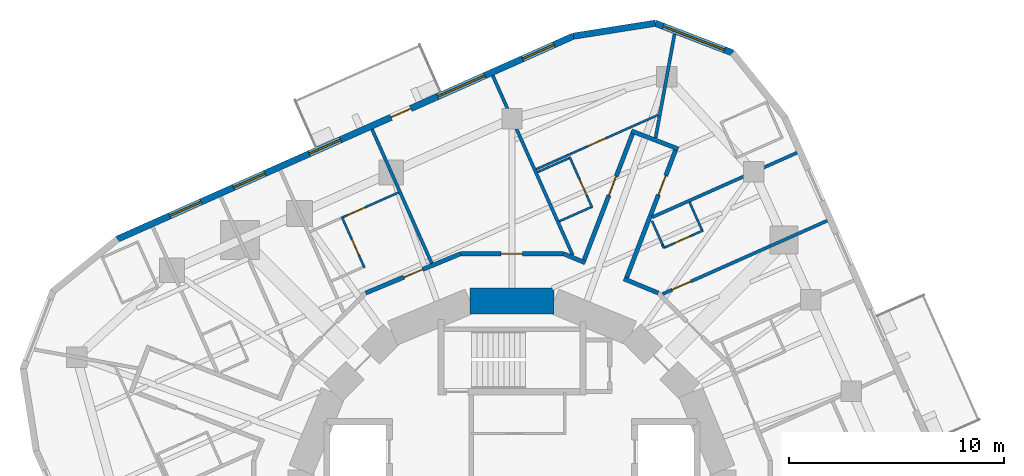
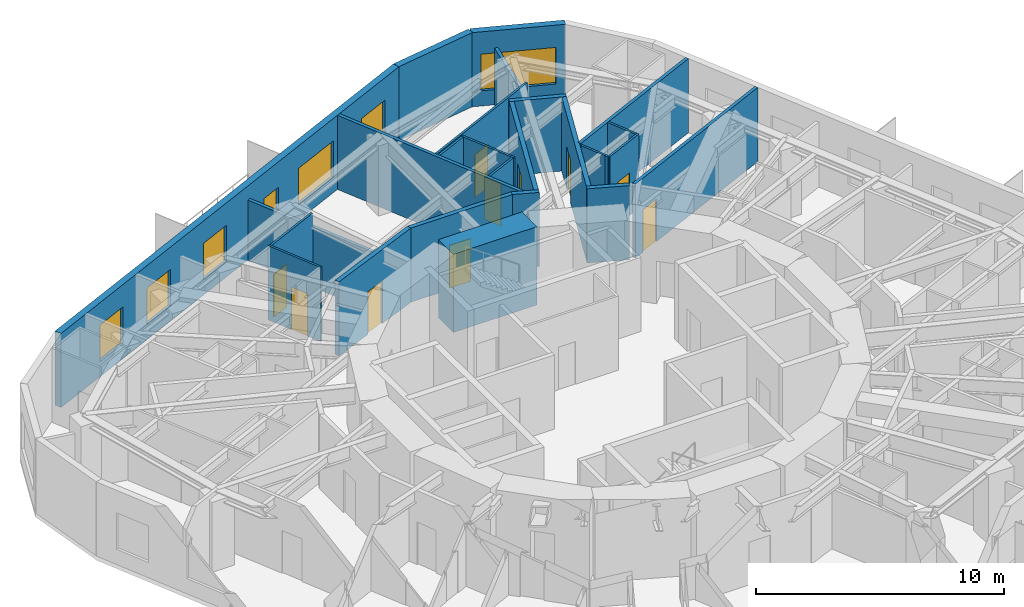
# One storey, part 9 of 12: 26 walls, 11 doors, 6 windows, 17 openings.
"""IFC4 building model written with IfcOpenShell, lengths in metres."""

import ifcopenshell
import ifcopenshell.guid

model = None  # the IFC model being written
_history = None  # IfcOwnerHistory: only IFC2X3 demands one
_inside = {}  # id of a spatial element -> (the spatial element, [elements in it])
_under = {}  # id of a project, library or spatial element -> (it, [spatial elements below it])
_declared = {}  # id of a project -> (the project, [libraries it declares])
_typed = {}  # id of a type object -> (the type object, [elements of that type])
_made_of = {}  # id of a material, layer set ... -> (it, [elements and type objects made of it])


def new_model(schema):
    """Start an empty IFC model of exactly this schema.

    Asked for "IFC4X3", IfcOpenShell would pick the latest addendum, in which some entities
    have other attributes; the version numbers below select the first issue.
    IFC2X3 requires an IfcOwnerHistory on every rooted entity: one is made here for all.
    """
    global model, _history
    if schema == "IFC4X3":
        model = ifcopenshell.file(schema_version=(4, 3, 0, 0))
    else:
        model = ifcopenshell.file(schema=schema)
    _inside.clear()
    _under.clear()
    _declared.clear()
    _typed.clear()
    _made_of.clear()
    _history = None
    if model.schema == "IFC2X3":
        org = make("IfcOrganization", Name="unknown")
        user = make(
            "IfcPersonAndOrganization",
            ThePerson=make("IfcPerson", FamilyName="unknown"),
            TheOrganization=org,
        )
        app = make(
            "IfcApplication",
            ApplicationDeveloper=org,
            Version="unknown",
            ApplicationFullName="unknown",
            ApplicationIdentifier="unknown",
        )
        _history = make(
            "IfcOwnerHistory",
            OwningUser=user,
            OwningApplication=app,
            ChangeAction="ADDED",
            CreationDate=0,
        )
    return model


def make(cls, **values):
    """One entity of the class cls with the attributes given. An attribute that is None is left unset."""
    return model.create_entity(
        cls, **{name: value for name, value in values.items() if value is not None}
    )


def rooted(cls, **values):
    """An entity with a GlobalId (a new one), such as an element, a storey or a relation."""
    return make(cls, GlobalId=ifcopenshell.guid.new(), OwnerHistory=_history, **values)


def si_unit(unit_type, name, prefix=None):
    """IfcSIUnit, for example si_unit("LENGTHUNIT", "METRE", prefix="MILLI")."""
    return make("IfcSIUnit", UnitType=unit_type, Prefix=prefix, Name=name)


def assignment(units):
    """IfcUnitAssignment: the units of a project."""
    return None if units is None else make("IfcUnitAssignment", Units=units)


def point(xyz):
    """IfcCartesianPoint."""
    return None if xyz is None else make("IfcCartesianPoint", Coordinates=xyz)


def direction(xyz):
    """IfcDirection."""
    return None if xyz is None else make("IfcDirection", DirectionRatios=xyz)


def frame(location, z_axis=None, x_axis=None):
    """IfcAxis2Placement3D, a coordinate frame: its origin and axes. An axis left out is left unset."""
    return make(
        "IfcAxis2Placement3D",
        Location=point(location),
        Axis=direction(z_axis),
        RefDirection=direction(x_axis),
    )


def frame_2d(location, x_axis=None):
    """IfcAxis2Placement2D, a coordinate frame in the plane: its origin and x axis."""
    return make(
        "IfcAxis2Placement2D", Location=point(location), RefDirection=direction(x_axis)
    )


def origin():
    """The frame at (0, 0, 0) with its axes left unset."""
    return frame((0.0, 0.0, 0.0))


def place(relative_to, where):
    """IfcLocalPlacement: puts the frame where relative to a parent placement (None: the world)."""
    return make(
        "IfcLocalPlacement", PlacementRelTo=relative_to, RelativePlacement=where
    )


def context(
    kind, dimensions, precision=None, world=None, true_north=None, identifier=None
):
    """IfcGeometricRepresentationContext, for example the 3D "Model" context."""
    return make(
        "IfcGeometricRepresentationContext",
        ContextIdentifier=identifier,
        ContextType=kind,
        CoordinateSpaceDimension=dimensions,
        Precision=precision,
        WorldCoordinateSystem=world,
        TrueNorth=true_north,
    )


def subcontext(parent, identifier, kind, view, scale=None):
    """IfcGeometricRepresentationSubContext, for example "Body" below "Model"."""
    return make(
        "IfcGeometricRepresentationSubContext",
        ContextIdentifier=identifier,
        ContextType=kind,
        ParentContext=parent,
        TargetScale=scale,
        TargetView=view,
    )


def project(units=None, contexts=None):
    """IfcProject with its units and contexts."""
    return rooted(
        "IfcProject",
        Name="project",
        RepresentationContexts=contexts,
        UnitsInContext=assignment(units),
    )


def spatial(cls, under=None, at=None, **own):
    """A site, building, storey or space (cls), placed at a placement, below another one or the project."""
    s = rooted(cls, ObjectPlacement=at, **own)
    if under is not None:
        _under.setdefault(under.id(), (under, []))[1].append(s)
    return s


def profile(cls, at=None, kind="AREA", **sizes):
    """A parametric profile (cls). Its sizes go by their IFC names, for example OverallWidth=200.0."""
    return make(cls, ProfileType=kind, Position=at, **sizes)


def rectangle(**sizes):
    """IfcRectangleProfileDef."""
    return profile("IfcRectangleProfileDef", **sizes)


def extrude(swept, where, along, depth):
    """IfcExtrudedAreaSolid: the profile swept, set in the frame where, extruded along a direction by depth."""
    return make(
        "IfcExtrudedAreaSolid",
        SweptArea=swept,
        Position=where,
        ExtrudedDirection=direction(along),
        Depth=depth,
    )


def shape(context_of_items, identifier, shape_type, items):
    """IfcShapeRepresentation: the items that make up one representation, for example the "Body"."""
    return make(
        "IfcShapeRepresentation",
        ContextOfItems=context_of_items,
        RepresentationIdentifier=identifier,
        RepresentationType=shape_type,
        Items=items,
    )


def material(Name=None, Category=None):
    """IfcMaterial."""
    return make("IfcMaterial", Name=Name, Category=Category)


def layer(
    of_material, thickness, ventilated=None, Name=None, Category=None, Priority=None
):
    """IfcMaterialLayer: one layer of a wall or slab, of a material (None: an air gap)."""
    return make(
        "IfcMaterialLayer",
        Material=of_material,
        LayerThickness=thickness,
        IsVentilated=ventilated,
        Name=Name,
        Category=Category,
        Priority=Priority,
    )


def layer_set(layers, Name=None):
    """IfcMaterialLayerSet."""
    return make("IfcMaterialLayerSet", MaterialLayers=layers, LayerSetName=Name)


def made_of(thing, what):
    """Note that an element or type object is made of a material, layer set ...; save() writes the relation."""
    if what is not None:
        _made_of.setdefault(what.id(), (what, []))[1].append(thing)
    return thing


def type_object(cls, material=None, **own):
    """A type object (cls), such as IfcWallType, which elements share."""
    return made_of(rooted(cls, **own), material)


def element(
    cls,
    number,
    at=None,
    inside=None,
    cuts=None,
    type_object=None,
    material=None,
    context=None,
    identifier="Body",
    shape_type=None,
    held_by="IfcProductDefinitionShape",
    body=None,
    shapes=None,
    **own,
):
    """One element of the class cls, such as IfcWall. Its Tag is "e" and its number.

    at: its placement. inside: the storey or other place that contains it. cuts: it is an
    opening in that element (IfcRelVoidsElement). A single representation is given by context,
    identifier, shape_type and body (its items); several are given by shapes. held_by: the class
    of the entity that holds the representations. save() writes the other relations.
    """
    e = rooted(cls, Tag="e%d" % number, ObjectPlacement=at, **own)
    if body is not None:
        shapes = [shape(context, identifier, shape_type, body)]
    if shapes is not None:
        e.Representation = make(held_by, Representations=shapes)
    if inside is not None:
        _inside.setdefault(inside.id(), (inside, []))[1].append(e)
    if cuts is not None:
        rooted(
            "IfcRelVoidsElement", RelatingBuildingElement=cuts, RelatedOpeningElement=e
        )
    if type_object is not None:
        _typed.setdefault(type_object.id(), (type_object, []))[1].append(e)
    return made_of(e, material)


def fill(opening, filler):
    """IfcRelFillsElement: the door or window that sits in an opening."""
    return rooted(
        "IfcRelFillsElement",
        RelatingOpeningElement=opening,
        RelatedBuildingElement=filler,
    )


def aggregate(whole, parts):
    """IfcRelAggregates: a whole, such as a stair, and the parts it consists of."""
    return rooted("IfcRelAggregates", RelatingObject=whole, RelatedObjects=parts)


def save(model, path):
    """Write the relations noted so far, then the file.

    IfcRelAggregates (storeys below a building ...), IfcRelContainedInSpatialStructure (elements
    in a storey), IfcRelDefinesByType, IfcRelAssociatesMaterial and IfcRelDeclares: one each for
    every whole, place, type object, material and project.
    """
    for whole, parts in _under.values():
        aggregate(whole, parts)
    for where, things in _inside.values():
        rooted(
            "IfcRelContainedInSpatialStructure",
            RelatedElements=things,
            RelatingStructure=where,
        )
    for kind, things in _typed.values():
        rooted("IfcRelDefinesByType", RelatedObjects=things, RelatingType=kind)
    for what, things in _made_of.values():
        rooted("IfcRelAssociatesMaterial", RelatedObjects=things, RelatingMaterial=what)
    for by, libraries in _declared.values():
        rooted("IfcRelDeclares", RelatingContext=by, RelatedDefinitions=libraries)
    model.write(path)


model = new_model("IFC4")

# Units and contexts
model_context = context("Model", 3, precision=1e-05, world=origin(), true_north=direction((0.0, 1.0)))
body_context = subcontext(model_context, "Body", "Model", "MODEL_VIEW")
ifc_project = project(units=[si_unit("LENGTHUNIT", "METRE"), si_unit("AREAUNIT", "SQUARE_METRE"), si_unit("VOLUMEUNIT", "CUBIC_METRE"), si_unit("PLANEANGLEUNIT", "RADIAN"), si_unit("MASSUNIT", "GRAM", prefix="KILO")], contexts=[model_context])

# Site, building, storey
site_placement = place(None, origin())
site = spatial("IfcSite", under=ifc_project, at=site_placement, CompositionType="ELEMENT")
building_placement = place(site_placement, origin())
building = spatial("IfcBuilding", under=site, at=building_placement, Name="Nakasero Lantern House", CompositionType="ELEMENT")
storey_placement = place(building_placement, frame((0.0, 0.0, 213.25)))
storey = spatial("IfcBuildingStorey", under=building, at=storey_placement, Name="L52", CompositionType="ELEMENT", Elevation=213.25)

# Wall
ifc_material_1 = material(Name="Concrete C50/60", Category="concrete")
ifc_layer_1 = layer(ifc_material_1, 1.199951171875)
ifc_layer_set_1 = layer_set([ifc_layer_1], Name="Core wall 1200")
wall_type_1 = type_object("IfcWallType", Name="Core wall 1200", PredefinedType="SHEAR", material=ifc_layer_set_1)
wall_1_placement = place(storey_placement, frame((1.950927734375, 9.807861328125, 0.0), z_axis=(0.0, 0.0, 1.0), x_axis=(-1.0, 0.0, 0.0)))
element("IfcWall", 1, at=wall_1_placement, inside=storey, type_object=wall_type_1, Name="Core wall L52 facet 4", PredefinedType="SHEAR", context=body_context, shape_type="SweptSolid", body=[
    extrude(rectangle(XDim=3.90185546875, YDim=1.199951171875, at=frame_2d((1.950927734375, 0.0))), origin(), (0.0, 0.0, 1.0), 3.85009765625),
])

# Wall, opening, door
ifc_material_2 = material(Name="Blockwork", Category="masonry")
ifc_layer_2 = layer(ifc_material_2, 0.199951171875)
ifc_layer_set_2 = layer_set([ifc_layer_2], Name="Corridor wall 200")
wall_type_2 = type_object("IfcWallType", Name="Corridor wall 200", PredefinedType="PARTITIONING", material=ifc_layer_set_2)
wall_2_placement = place(storey_placement, frame((-6.802001953125, 10.1796875, 0.0), z_axis=(0.0, 0.0, 1.0), x_axis=(0.923882292998, 0.382676767893, 0.0)))
wall_2 = element("IfcWall", 2, at=wall_2_placement, inside=storey, type_object=wall_type_2, Name="Corridor wall L52 RC11a", PredefinedType="PARTITIONING", context=body_context, shape_type="SweptSolid", body=[
    extrude(rectangle(XDim=4.777099609375, YDim=0.199951171875, at=frame_2d((2.388671875, 0.0))), origin(), (0.0, 0.0, 1.0), 3.64990234375),
])
opening_1_placement = place(wall_2_placement, frame((1.919921875, 0.0, 0.0)))
opening_1 = element("IfcOpeningElement", 3, at=opening_1_placement, cuts=wall_2, Name="Opening D01", PredefinedType="OPENING", context=body_context, shape_type="SweptSolid", body=[
    extrude(rectangle(XDim=0.949951171875, YDim=2.10009765625, at=frame_2d((0.47509765625, 1.050048828125))), frame((0.0, 0.119873046875, 0.0), z_axis=(0.0, -1.0, 0.0), x_axis=(1.0, 0.0, 0.0)), (0.0, 0.0, 1.0), 0.239990234375),
])
ifc_material_3 = material(Name="Timber C24", Category="wood")
door_type_1 = type_object("IfcDoorType", Name="Bedroom door FD30S 950", OperationType="SINGLE_SWING_LEFT", PredefinedType="DOOR", material=ifc_material_3)
door_1_placement = place(opening_1_placement, origin())
door_1 = element("IfcDoor", 4, at=door_1_placement, inside=storey, type_object=door_type_1, Name="Door L52 D1-03", OperationType="SINGLE_SWING_RIGHT", OverallHeight=2.10009765625, OverallWidth=0.949951171875, PredefinedType="DOOR", context=body_context, shape_type="SweptSolid", body=[
    extrude(rectangle(XDim=0.949951171875, YDim=2.10009765625, at=frame_2d((0.47509765625, 1.050048828125))), frame((0.0, 0.02490234375, 0.0), z_axis=(0.0, -1.0, 0.0), x_axis=(1.0, 0.0, 0.0)), (0.0, 0.0, 1.0), 0.050048828125),
])
fill(opening_1, door_1)

wall_3_placement = place(storey_placement, frame((-2.388427734375, 12.0078125, 0.0), z_axis=(0.0, 0.0, 1.0), x_axis=(1.0, 0.0, 0.0)))
wall_3 = element("IfcWall", 5, at=wall_3_placement, inside=storey, type_object=wall_type_2, Name="Corridor wall L52 RC12a", PredefinedType="PARTITIONING", context=body_context, shape_type="SweptSolid", body=[
    extrude(rectangle(XDim=4.77685546875, YDim=0.199951171875, at=frame_2d((2.388427734375, 0.0))), origin(), (0.0, 0.0, 1.0), 3.64990234375),
])
opening_2_placement = place(wall_3_placement, frame((1.8701171875, 0.0, 0.0)))
opening_2 = element("IfcOpeningElement", 6, at=opening_2_placement, cuts=wall_3, Name="Opening D03", PredefinedType="OPENING", context=body_context, shape_type="SweptSolid", body=[
    extrude(rectangle(XDim=1.0, YDim=2.10009765625, at=frame_2d((0.5, 1.050048828125))), frame((0.0, 0.119873046875, 0.0), z_axis=(0.0, -1.0, 0.0), x_axis=(1.0, 0.0, 0.0)), (0.0, 0.0, 1.0), 0.239990234375),
])
ifc_material_4 = material(Name="Timber C24", Category="wood")
door_type_2 = type_object("IfcDoorType", Name="Lounge door FD30S 1000", OperationType="SINGLE_SWING_LEFT", PredefinedType="DOOR", material=ifc_material_4)
door_2_placement = place(opening_2_placement, origin())
door_2 = element("IfcDoor", 7, at=door_2_placement, inside=storey, type_object=door_type_2, Name="Door L52 DK1", OperationType="SINGLE_SWING_LEFT", OverallHeight=2.10009765625, OverallWidth=1.0, PredefinedType="DOOR", context=body_context, shape_type="SweptSolid", body=[
    extrude(rectangle(XDim=1.0, YDim=2.10009765625, at=frame_2d((0.5, 1.050048828125))), frame((0.0, 0.02490234375, 0.0), z_axis=(0.0, -1.0, 0.0), x_axis=(1.0, 0.0, 0.0)), (0.0, 0.0, 1.0), 0.050048828125),
])
fill(opening_2, door_2)

# Walls
wall_4_placement = place(storey_placement, frame((2.388427734375, 12.0078125, 0.0), z_axis=(0.0, 0.0, 1.0), x_axis=(0.923892830031, -0.382651327736, 0.0)))
element("IfcWall", 8, at=wall_4_placement, inside=storey, type_object=wall_type_2, Name="Corridor wall L52 RC13a", PredefinedType="PARTITIONING", context=body_context, shape_type="SweptSolid", body=[
    extrude(rectangle(XDim=1.103759765625, YDim=0.199951171875, at=frame_2d((0.5517578125, 0.0))), origin(), (0.0, 0.0, 1.0), 3.64990234375),
])
wall_5_placement = place(storey_placement, frame((5.201171875, 10.8427734375, 0.0), z_axis=(0.0, 0.0, 1.0), x_axis=(0.923879449244, -0.382683633391, 0.0)))
element("IfcWall", 9, at=wall_5_placement, inside=storey, type_object=wall_type_2, Name="Corridor wall L52 RC13b", PredefinedType="PARTITIONING", context=body_context, shape_type="SweptSolid", body=[
    extrude(rectangle(XDim=1.732666015625, YDim=0.199951171875, at=frame_2d((0.8662109375, 0.0))), origin(), (0.0, 0.0, 1.0), 3.64990234375),
])

# Wall, opening, door
wall_6_placement = place(storey_placement, frame((5.293701171875, 10.804443359375, 0.0), z_axis=(0.0, 0.0, 1.0), x_axis=(0.358353547616, 0.933585954752, 0.0)))
wall_6 = element("IfcWall", 10, at=wall_6_placement, inside=storey, type_object=wall_type_2, Name="Corridor wall L52 SP0a", PredefinedType="PARTITIONING", context=body_context, shape_type="SweptSolid", body=[
    extrude(rectangle(XDim=6.643798828125, YDim=0.199951171875, at=frame_2d((3.32177734375, 0.0))), origin(), (0.0, 0.0, 1.0), 3.64990234375),
])
opening_3_placement = place(wall_6_placement, frame((4.219970703125, 0.0, 0.0)))
opening_3 = element("IfcOpeningElement", 11, at=opening_3_placement, cuts=wall_6, Name="Opening D01", PredefinedType="OPENING", context=body_context, shape_type="SweptSolid", body=[
    extrude(rectangle(XDim=0.949951171875, YDim=2.10009765625, at=frame_2d((0.47509765625, 1.050048828125))), frame((0.0, 0.119873046875, 0.0), z_axis=(0.0, -1.0, 0.0), x_axis=(1.0, 0.0, 0.0)), (0.0, 0.0, 1.0), 0.239990234375),
])
door_3_placement = place(opening_3_placement, origin())
door_3 = element("IfcDoor", 12, at=door_3_placement, inside=storey, type_object=door_type_1, Name="Door L52 D0-06", OperationType="SINGLE_SWING_RIGHT", OverallHeight=2.10009765625, OverallWidth=0.949951171875, PredefinedType="DOOR", context=body_context, shape_type="SweptSolid", body=[
    extrude(rectangle(XDim=0.949951171875, YDim=2.10009765625, at=frame_2d((0.47509765625, 1.050048828125))), frame((0.0, 0.02490234375, 0.0), z_axis=(0.0, -1.0, 0.0), x_axis=(1.0, 0.0, 0.0)), (0.0, 0.0, 1.0), 0.050048828125),
])
fill(opening_3, door_3)

wall_7_placement = place(storey_placement, frame((3.31591796875, 11.623779296875, 0.0), z_axis=(0.0, 0.0, 1.0), x_axis=(0.358370568903, 0.933579421016, 0.0)))
wall_7 = element("IfcWall", 13, at=wall_7_placement, inside=storey, type_object=wall_type_2, Name="Corridor wall L52 SP0b", PredefinedType="PARTITIONING", context=body_context, shape_type="SweptSolid", body=[
    extrude(rectangle(XDim=6.587646484375, YDim=0.199951171875, at=frame_2d((3.2939453125, 0.0))), origin(), (0.0, 0.0, 1.0), 3.64990234375),
])
opening_4_placement = place(wall_7_placement, frame((3.320068359375, 0.0, 0.0)))
opening_4 = element("IfcOpeningElement", 14, at=opening_4_placement, cuts=wall_7, Name="Opening D01", PredefinedType="OPENING", context=body_context, shape_type="SweptSolid", body=[
    extrude(rectangle(XDim=0.949951171875, YDim=2.10009765625, at=frame_2d((0.47509765625, 1.050048828125))), frame((0.0, 0.119873046875, 0.0), z_axis=(0.0, -1.0, 0.0), x_axis=(1.0, 0.0, 0.0)), (0.0, 0.0, 1.0), 0.239990234375),
])
door_4_placement = place(opening_4_placement, origin())
door_4 = element("IfcDoor", 15, at=door_4_placement, inside=storey, type_object=door_type_1, Name="Door L52 D1-00", OperationType="SINGLE_SWING_RIGHT", OverallHeight=2.10009765625, OverallWidth=0.949951171875, PredefinedType="DOOR", context=body_context, shape_type="SweptSolid", body=[
    extrude(rectangle(XDim=0.949951171875, YDim=2.10009765625, at=frame_2d((0.47509765625, 1.050048828125))), frame((0.0, 0.02490234375, 0.0), z_axis=(0.0, -1.0, 0.0), x_axis=(1.0, 0.0, 0.0)), (0.0, 0.0, 1.0), 0.050048828125),
])
fill(opening_4, door_4)

# Wall
wall_8_placement = place(storey_placement, frame((7.73193359375, 16.8779296875, 0.0), z_axis=(0.0, 0.0, 1.0), x_axis=(-0.933573982139, 0.35838473722, 0.0)))
element("IfcWall", 16, at=wall_8_placement, inside=storey, type_object=wall_type_2, Name="Corridor wall L52 SP0e", PredefinedType="PARTITIONING", context=body_context, shape_type="SweptSolid", body=[
    extrude(rectangle(XDim=2.340087890625, YDim=0.199951171875, at=frame_2d((1.169921875, 0.0))), origin(), (0.0, 0.0, 1.0), 3.64990234375),
])

# Wall, opening, door
ifc_material_5 = material(Name="Blockwork", Category="masonry")
ifc_layer_3 = layer(ifc_material_5, 0.10009765625)
ifc_layer_set_3 = layer_set([ifc_layer_3], Name="En-suite wall 100")
wall_type_3 = type_object("IfcWallType", Name="En-suite wall 100", PredefinedType="PARTITIONING", material=ifc_layer_set_3)
wall_9_placement = place(storey_placement, frame((7.0654296875, 12.280029296875, 0.0), z_axis=(0.0, 0.0, 1.0), x_axis=(0.913529410294, 0.406772684097, 0.0)))
wall_9 = element("IfcWall", 17, at=wall_9_placement, inside=storey, type_object=wall_type_3, Name="En-suite wall L52 ES0-05", PredefinedType="PARTITIONING", context=body_context, shape_type="SweptSolid", body=[
    extrude(rectangle(XDim=1.999755859375, YDim=0.10009765625, at=frame_2d((1.0, 0.0))), origin(), (0.0, 0.0, 1.0), 3.64990234375),
])
opening_5_placement = place(wall_9_placement, frame((0.550048828125, 0.0, 0.0)))
opening_5 = element("IfcOpeningElement", 18, at=opening_5_placement, cuts=wall_9, Name="Opening D02", PredefinedType="OPENING", context=body_context, shape_type="SweptSolid", body=[
    extrude(rectangle(XDim=0.800048828125, YDim=2.10009765625, at=frame_2d((0.39990234375, 1.050048828125))), frame((0.0, 0.070068359375, 0.0), z_axis=(0.0, -1.0, 0.0), x_axis=(1.0, 0.0, 0.0)), (0.0, 0.0, 1.0), 0.14013671875),
])
ifc_material_6 = material(Name="Timber C24", Category="wood")
door_type_3 = type_object("IfcDoorType", Name="En-suite door 800", OperationType="SINGLE_SWING_RIGHT", PredefinedType="DOOR", material=ifc_material_6)
door_5_placement = place(opening_5_placement, origin())
door_5 = element("IfcDoor", 19, at=door_5_placement, inside=storey, type_object=door_type_3, Name="Door L52 DE0-05", OperationType="SINGLE_SWING_LEFT", OverallHeight=2.10009765625, OverallWidth=0.800048828125, PredefinedType="DOOR", context=body_context, shape_type="SweptSolid", body=[
    extrude(rectangle(XDim=0.800048828125, YDim=2.10009765625, at=frame_2d((0.39990234375, 1.050048828125))), frame((0.0, 0.02490234375, 0.0), z_axis=(0.0, -1.0, 0.0), x_axis=(1.0, 0.0, 0.0)), (0.0, 0.0, 1.0), 0.050048828125),
])
fill(opening_5, door_5)

# Wall
wall_10_placement = place(storey_placement, frame((8.826416015625, 13.118896484375, 0.0), z_axis=(0.0, 0.0, 1.0), x_axis=(-0.406656150203, 0.91358129113, 0.0)))
element("IfcWall", 20, at=wall_10_placement, inside=storey, type_object=wall_type_3, Name="En-suite wall L52 EE0-05", PredefinedType="PARTITIONING", context=body_context, shape_type="SweptSolid", body=[
    extrude(rectangle(XDim=1.400146484375, YDim=0.10009765625, at=frame_2d((0.7001953125, 0.0))), origin(), (0.0, 0.0, 1.0), 3.64990234375),
])

# Wall, opening, door
wall_11_placement = place(storey_placement, frame((3.731689453125, 14.14013671875, 0.0), z_axis=(0.0, 0.0, 1.0), x_axis=(-0.406765646974, 0.913532543723, 0.0)))
wall_11 = element("IfcWall", 21, at=wall_11_placement, inside=storey, type_object=wall_type_3, Name="En-suite wall L52 ES1-00", PredefinedType="PARTITIONING", context=body_context, shape_type="SweptSolid", body=[
    extrude(rectangle(XDim=2.60009765625, YDim=0.10009765625, at=frame_2d((1.300048828125, 0.0))), origin(), (0.0, 0.0, 1.0), 3.64990234375),
])
opening_6_placement = place(wall_11_placement, frame((0.64990234375, 0.0, 0.0)))
opening_6 = element("IfcOpeningElement", 22, at=opening_6_placement, cuts=wall_11, Name="Opening D02", PredefinedType="OPENING", context=body_context, shape_type="SweptSolid", body=[
    extrude(rectangle(XDim=0.800048828125, YDim=2.10009765625, at=frame_2d((0.39990234375, 1.050048828125))), frame((0.0, 0.070068359375, 0.0), z_axis=(0.0, -1.0, 0.0), x_axis=(1.0, 0.0, 0.0)), (0.0, 0.0, 1.0), 0.14013671875),
])
door_6_placement = place(opening_6_placement, origin())
door_6 = element("IfcDoor", 23, at=door_6_placement, inside=storey, type_object=door_type_3, Name="Door L52 DE1-00", OperationType="SINGLE_SWING_LEFT", OverallHeight=2.10009765625, OverallWidth=0.800048828125, PredefinedType="DOOR", context=body_context, shape_type="SweptSolid", body=[
    extrude(rectangle(XDim=0.800048828125, YDim=2.10009765625, at=frame_2d((0.39990234375, 1.050048828125))), frame((0.0, 0.02490234375, 0.0), z_axis=(0.0, -1.0, 0.0), x_axis=(1.0, 0.0, 0.0)), (0.0, 0.0, 1.0), 0.050048828125),
])
fill(opening_6, door_6)

# Walls
wall_12_placement = place(storey_placement, frame((2.648681640625, 16.449462890625, 0.0), z_axis=(0.0, 0.0, 1.0), x_axis=(-0.913521878409, -0.40678959877, 0.0)))
element("IfcWall", 24, at=wall_12_placement, inside=storey, type_object=wall_type_3, Name="En-suite wall L52 EE1-00", PredefinedType="PARTITIONING", context=body_context, shape_type="SweptSolid", body=[
    extrude(rectangle(XDim=1.60009765625, YDim=0.10009765625, at=frame_2d((0.800048828125, 0.0))), origin(), (0.0, 0.0, 1.0), 3.64990234375),
])
wall_13_placement = place(storey_placement, frame((3.66552734375, 14.16552734375, 0.0), z_axis=(0.0, 0.0, 1.0), x_axis=(-0.913578575067, -0.406662251972, 0.0)))
element("IfcWall", 25, at=wall_13_placement, inside=storey, type_object=wall_type_3, Name="En-suite wall L52 EI1-00", PredefinedType="PARTITIONING", context=body_context, shape_type="SweptSolid", body=[
    extrude(rectangle(XDim=1.599853515625, YDim=0.10009765625, at=frame_2d((0.7998046875, 0.0))), origin(), (0.0, 0.0, 1.0), 3.64990234375),
])

# Wall, opening, door
wall_14_placement = place(storey_placement, frame((-6.8603515625, 11.3583984375, 0.0), z_axis=(0.0, 0.0, 1.0), x_axis=(-0.406765646974, 0.913532543723, 0.0)))
wall_14 = element("IfcWall", 26, at=wall_14_placement, inside=storey, type_object=wall_type_3, Name="En-suite wall L52 ES1-03", PredefinedType="PARTITIONING", context=body_context, shape_type="SweptSolid", body=[
    extrude(rectangle(XDim=2.60009765625, YDim=0.10009765625, at=frame_2d((1.300048828125, 0.0))), origin(), (0.0, 0.0, 1.0), 3.64990234375),
])
opening_7_placement = place(wall_14_placement, frame((0.64990234375, 0.0, 0.0)))
opening_7 = element("IfcOpeningElement", 27, at=opening_7_placement, cuts=wall_14, Name="Opening D02", PredefinedType="OPENING", context=body_context, shape_type="SweptSolid", body=[
    extrude(rectangle(XDim=0.800048828125, YDim=2.10009765625, at=frame_2d((0.39990234375, 1.050048828125))), frame((0.0, 0.070068359375, 0.0), z_axis=(0.0, -1.0, 0.0), x_axis=(1.0, 0.0, 0.0)), (0.0, 0.0, 1.0), 0.14013671875),
])
door_7_placement = place(opening_7_placement, origin())
door_7 = element("IfcDoor", 28, at=door_7_placement, inside=storey, type_object=door_type_3, Name="Door L52 DE1-03", OperationType="SINGLE_SWING_LEFT", OverallHeight=2.10009765625, OverallWidth=0.800048828125, PredefinedType="DOOR", context=body_context, shape_type="SweptSolid", body=[
    extrude(rectangle(XDim=0.800048828125, YDim=2.10009765625, at=frame_2d((0.39990234375, 1.050048828125))), frame((0.0, 0.02490234375, 0.0), z_axis=(0.0, -1.0, 0.0), x_axis=(1.0, 0.0, 0.0)), (0.0, 0.0, 1.0), 0.050048828125),
])
fill(opening_7, door_7)

wall_15_placement = place(storey_placement, frame((6.79443359375, 18.45947265625, 0.0), z_axis=(0.0, 0.0, 1.0), x_axis=(-0.9135501304, -0.406726147728, 0.0)))
wall_15 = element("IfcWall", 29, at=wall_15_placement, inside=storey, type_object=wall_type_3, Name="En-suite wall L52 EL1-00", PredefinedType="PARTITIONING", context=body_context, shape_type="SweptSolid", body=[
    extrude(rectangle(XDim=6.204833984375, YDim=0.10009765625, at=frame_2d((3.1025390625, 0.0))), origin(), (0.0, 0.0, 1.0), 3.64990234375),
])
opening_8_placement = place(wall_15_placement, frame((2.65234375, 0.0, 0.0)))
opening_8 = element("IfcOpeningElement", 30, at=opening_8_placement, cuts=wall_15, Name="Opening D17", PredefinedType="OPENING", context=body_context, shape_type="SweptSolid", body=[
    extrude(rectangle(XDim=0.89990234375, YDim=2.10009765625, at=frame_2d((0.449951171875, 1.050048828125))), frame((0.0, 0.070068359375, 0.0), z_axis=(0.0, -1.0, 0.0), x_axis=(1.0, 0.0, 0.0)), (0.0, 0.0, 1.0), 0.14013671875),
])
ifc_material_7 = material(Name="Timber C24", Category="wood")
door_type_4 = type_object("IfcDoorType", Name="Bedroom door FD30S 900", OperationType="SINGLE_SWING_LEFT", PredefinedType="DOOR", material=ifc_material_7)
door_8_placement = place(opening_8_placement, origin())
door_8 = element("IfcDoor", 31, at=door_8_placement, inside=storey, type_object=door_type_4, Name="Door L52 DL1-00", OperationType="SINGLE_SWING_LEFT", OverallHeight=2.10009765625, OverallWidth=0.89990234375, PredefinedType="DOOR", context=body_context, shape_type="SweptSolid", body=[
    extrude(rectangle(XDim=0.89990234375, YDim=2.10009765625, at=frame_2d((0.449951171875, 1.050048828125))), frame((0.0, 0.02490234375, 0.0), z_axis=(0.0, -1.0, 0.0), x_axis=(1.0, 0.0, 0.0)), (0.0, 0.0, 1.0), 0.050048828125),
])
fill(opening_8, door_8)

wall_16_placement = place(storey_placement, frame((-5.280029296875, 14.853271484375, 0.0), z_axis=(0.0, 0.0, 1.0), x_axis=(-0.913561058639, -0.406701600856, 0.0)))
wall_16 = element("IfcWall", 32, at=wall_16_placement, inside=storey, type_object=wall_type_3, Name="En-suite wall L52 EL1-03", PredefinedType="PARTITIONING", context=body_context, shape_type="SweptSolid", body=[
    extrude(rectangle(XDim=2.8154296875, YDim=0.10009765625, at=frame_2d((1.40771484375, 0.0))), origin(), (0.0, 0.0, 1.0), 3.64990234375),
])
opening_9_placement = place(wall_16_placement, frame((1.71533203125, 0.0, 0.0)))
opening_9 = element("IfcOpeningElement", 33, at=opening_9_placement, cuts=wall_16, Name="Opening D17", PredefinedType="OPENING", context=body_context, shape_type="SweptSolid", body=[
    extrude(rectangle(XDim=0.89990234375, YDim=2.10009765625, at=frame_2d((0.449951171875, 1.050048828125))), frame((0.0, 0.070068359375, 0.0), z_axis=(0.0, -1.0, 0.0), x_axis=(1.0, 0.0, 0.0)), (0.0, 0.0, 1.0), 0.14013671875),
])
door_9_placement = place(opening_9_placement, origin())
door_9 = element("IfcDoor", 34, at=door_9_placement, inside=storey, type_object=door_type_4, Name="Door L52 DL1-03", OperationType="SINGLE_SWING_RIGHT", OverallHeight=2.10009765625, OverallWidth=0.89990234375, PredefinedType="DOOR", context=body_context, shape_type="SweptSolid", body=[
    extrude(rectangle(XDim=0.89990234375, YDim=2.10009765625, at=frame_2d((0.449951171875, 1.050048828125))), frame((0.0, 0.02490234375, 0.0), z_axis=(0.0, -1.0, 0.0), x_axis=(1.0, 0.0, 0.0)), (0.0, 0.0, 1.0), 0.050048828125),
])
fill(opening_9, door_9)

# Walls
wall_17_placement = place(storey_placement, frame((6.510009765625, 13.527099609375, 0.0), z_axis=(0.0, 0.0, 1.0), x_axis=(0.406815070933, -0.913510535277, 0.0)))
element("IfcWall", 35, at=wall_17_placement, inside=storey, type_object=wall_type_3, Name="En-suite wall L52 EX000", PredefinedType="PARTITIONING", context=body_context, shape_type="SweptSolid", body=[
    extrude(rectangle(XDim=1.205078125, YDim=0.10009765625, at=frame_2d((0.6025390625, 0.0))), origin(), (0.0, 0.0, 1.0), 3.64990234375),
])
wall_18_placement = place(storey_placement, frame((7.0654296875, 12.280029296875, 0.0), z_axis=(0.0, 0.0, 1.0), x_axis=(-0.407128578538, 0.913370855971, 0.0)))
element("IfcWall", 36, at=wall_18_placement, inside=storey, type_object=wall_type_3, Name="En-suite wall L52 ES0-05R0", PredefinedType="PARTITIONING", context=body_context, shape_type="SweptSolid", body=[
    extrude(rectangle(XDim=0.16015625, YDim=0.10009765625, at=frame_2d((0.080078125, 0.0))), origin(), (0.0, 0.0, 1.0), 3.64990234375),
])

# Wall, opening, window
ifc_material_8 = material(Name="Aluminium rainscreen on blockwork", Category="masonry")
ifc_layer_4 = layer(ifc_material_8, 0.300048828125)
ifc_layer_set_4 = layer_set([ifc_layer_4], Name="Facade wall 300")
wall_type_4 = type_object("IfcWallType", Name="Facade wall 300", PredefinedType="SOLIDWALL", material=ifc_layer_set_4)
wall_19_placement = place(storey_placement, frame((10.258056640625, 21.342529296875, 0.0), z_axis=(0.0, 0.0, 1.0), x_axis=(-0.933598278948, 0.358321438858, 0.0)))
wall_19 = element("IfcWall", 37, at=wall_19_placement, inside=storey, type_object=wall_type_4, Name="Facade wall L52 FW0C2", PredefinedType="SOLIDWALL", context=body_context, shape_type="SweptSolid", body=[
    extrude(rectangle(XDim=3.8564453125, YDim=0.300048828125, at=frame_2d((1.92822265625, 0.0))), origin(), (0.0, 0.0, 1.0), 3.64990234375),
])
opening_10_placement = place(wall_19_placement, frame((0.39990234375, 0.0, 0.75)))
opening_10 = element("IfcOpeningElement", 38, at=opening_10_placement, cuts=wall_19, Name="Opening W230", PredefinedType="OPENING", context=body_context, shape_type="SweptSolid", body=[
    extrude(rectangle(XDim=3.055908203125, YDim=1.800048828125, at=frame_2d((1.52783203125, 0.89990234375))), frame((0.0, 0.169921875, 0.0), z_axis=(0.0, -1.0, 0.0), x_axis=(1.0, 0.0, 0.0)), (0.0, 0.0, 1.0), 0.340087890625),
])
ifc_material_9 = material(Name="Aluminium 6063-T6 and glass", Category="aluminium")
window_type_1 = type_object("IfcWindowType", Name="Corner window 3056x1800", PartitioningType="SINGLE_PANEL", PredefinedType="WINDOW", material=ifc_material_9)
window_1_placement = place(opening_10_placement, origin())
window_1 = element("IfcWindow", 39, at=window_1_placement, inside=storey, type_object=window_type_1, Name="Window L52 WC0", OverallHeight=1.800048828125, OverallWidth=3.055908203125, PartitioningType="SINGLE_PANEL", PredefinedType="WINDOW", context=body_context, shape_type="SweptSolid", body=[
    extrude(rectangle(XDim=3.055908203125, YDim=1.800048828125, at=frame_2d((1.52783203125, 0.89990234375))), frame((0.0, 0.030029296875, 0.0), z_axis=(0.0, -1.0, 0.0), x_axis=(1.0, 0.0, 0.0)), (0.0, 0.0, 1.0), 0.06005859375),
])
fill(opening_10, window_1)

# Wall
wall_20_placement = place(storey_placement, frame((6.65771484375, 22.724365234375, 0.0), z_axis=(0.0, 0.0, 1.0), x_axis=(-0.987687906802, -0.156437203878, 0.0)))
element("IfcWall", 40, at=wall_20_placement, inside=storey, type_object=wall_type_4, Name="Facade wall L52 FW0C3", PredefinedType="SOLIDWALL", context=body_context, shape_type="SweptSolid", body=[
    extrude(rectangle(XDim=3.856201171875, YDim=0.300048828125, at=frame_2d((1.92822265625, 0.0))), origin(), (0.0, 0.0, 1.0), 3.64990234375),
])

# Wall, openings, door, windows
wall_21_placement = place(storey_placement, frame((2.848876953125, 22.12109375, 0.0), z_axis=(0.0, 0.0, 1.0), x_axis=(-0.913546210851, -0.406734951338, 0.0)))
wall_21 = element("IfcWall", 41, at=wall_21_placement, inside=storey, type_object=wall_type_4, Name="Facade wall L52 FW1S", PredefinedType="SOLIDWALL", context=body_context, shape_type="SweptSolid", body=[
    extrude(rectangle(XDim=23.199951171875, YDim=0.300048828125, at=frame_2d((11.60009765625, 0.0))), origin(), (0.0, 0.0, 1.0), 3.64990234375),
])
opening_11_placement = place(wall_21_placement, frame((0.982421875, 0.0, 0.75)))
opening_11 = element("IfcOpeningElement", 42, at=opening_11_placement, cuts=wall_21, Name="Opening W01", PredefinedType="OPENING", context=body_context, shape_type="SweptSolid", body=[
    extrude(rectangle(XDim=1.60009765625, YDim=1.800048828125, at=frame_2d((0.800048828125, 0.89990234375))), frame((0.0, 0.169921875, 0.0), z_axis=(0.0, -1.0, 0.0), x_axis=(1.0, 0.0, 0.0)), (0.0, 0.0, 1.0), 0.340087890625),
])
opening_12_placement = place(wall_21_placement, frame((11.83984375, 0.0, 0.75)))
opening_12 = element("IfcOpeningElement", 43, at=opening_12_placement, cuts=wall_21, Name="Opening W01", PredefinedType="OPENING", context=body_context, shape_type="SweptSolid", body=[
    extrude(rectangle(XDim=1.60009765625, YDim=1.800048828125, at=frame_2d((0.800048828125, 0.89990234375))), frame((0.0, 0.169921875, 0.0), z_axis=(0.0, -1.0, 0.0), x_axis=(1.0, 0.0, 0.0)), (0.0, 0.0, 1.0), 0.340087890625),
])
opening_13_placement = place(wall_21_placement, frame((15.69140625, 0.0, 0.75)))
opening_13 = element("IfcOpeningElement", 44, at=opening_13_placement, cuts=wall_21, Name="Opening W01", PredefinedType="OPENING", context=body_context, shape_type="SweptSolid", body=[
    extrude(rectangle(XDim=1.60009765625, YDim=1.800048828125, at=frame_2d((0.800048828125, 0.89990234375))), frame((0.0, 0.169921875, 0.0), z_axis=(0.0, -1.0, 0.0), x_axis=(1.0, 0.0, 0.0)), (0.0, 0.0, 1.0), 0.340087890625),
])
opening_14_placement = place(wall_21_placement, frame((18.940185546875, 0.0, 0.75)))
opening_14 = element("IfcOpeningElement", 45, at=opening_14_placement, cuts=wall_21, Name="Opening W01", PredefinedType="OPENING", context=body_context, shape_type="SweptSolid", body=[
    extrude(rectangle(XDim=1.60009765625, YDim=1.800048828125, at=frame_2d((0.800048828125, 0.89990234375))), frame((0.0, 0.169921875, 0.0), z_axis=(0.0, -1.0, 0.0), x_axis=(1.0, 0.0, 0.0)), (0.0, 0.0, 1.0), 0.340087890625),
])
opening_15_placement = place(wall_21_placement, frame((4.500244140625, 0.0, 0.75)))
opening_15 = element("IfcOpeningElement", 46, at=opening_15_placement, cuts=wall_21, Name="Opening W03", PredefinedType="OPENING", context=body_context, shape_type="SweptSolid", body=[
    extrude(rectangle(XDim=2.39990234375, YDim=1.800048828125, at=frame_2d((1.199951171875, 0.89990234375))), frame((0.0, 0.169921875, 0.0), z_axis=(0.0, -1.0, 0.0), x_axis=(1.0, 0.0, 0.0)), (0.0, 0.0, 1.0), 0.340087890625),
])
opening_16_placement = place(wall_21_placement, frame((8.271484375, 0.0, 0.0)))
opening_16 = element("IfcOpeningElement", 47, at=opening_16_placement, cuts=wall_21, Name="Opening D04", PredefinedType="OPENING", context=body_context, shape_type="SweptSolid", body=[
    extrude(rectangle(XDim=1.0, YDim=2.39990234375, at=frame_2d((0.5, 1.199951171875))), frame((0.0, 0.169921875, 0.0), z_axis=(0.0, -1.0, 0.0), x_axis=(1.0, 0.0, 0.0)), (0.0, 0.0, 1.0), 0.340087890625),
])
ifc_material_10 = material(Name="Aluminium 6063-T6 and glass", Category="aluminium")
door_type_5 = type_object("IfcDoorType", Name="Balcony door 1000x2400", OperationType="SINGLE_SWING_RIGHT", PredefinedType="DOOR", material=ifc_material_10)
door_10_placement = place(opening_16_placement, origin())
door_10 = element("IfcDoor", 48, at=door_10_placement, inside=storey, type_object=door_type_5, Name="Balcony door L52 DB1", OperationType="SINGLE_SWING_RIGHT", OverallHeight=2.39990234375, OverallWidth=1.0, PredefinedType="DOOR", context=body_context, shape_type="SweptSolid", body=[
    extrude(rectangle(XDim=1.0, YDim=2.39990234375, at=frame_2d((0.5, 1.199951171875))), frame((0.0, 0.02490234375, 0.0), z_axis=(0.0, -1.0, 0.0), x_axis=(1.0, 0.0, 0.0)), (0.0, 0.0, 1.0), 0.050048828125),
])
fill(opening_16, door_10)
ifc_material_11 = material(Name="Aluminium 6063-T6 and glass", Category="aluminium")
window_type_2 = type_object("IfcWindowType", Name="Bedroom window 1600x1800", PartitioningType="SINGLE_PANEL", PredefinedType="WINDOW", material=ifc_material_11)
window_2_placement = place(opening_11_placement, origin())
window_2 = element("IfcWindow", 49, at=window_2_placement, inside=storey, type_object=window_type_2, Name="Window L52 WN1-00", OverallHeight=1.800048828125, OverallWidth=1.60009765625, PartitioningType="SINGLE_PANEL", PredefinedType="WINDOW", context=body_context, shape_type="SweptSolid", body=[
    extrude(rectangle(XDim=1.60009765625, YDim=1.800048828125, at=frame_2d((0.800048828125, 0.89990234375))), frame((0.0, 0.030029296875, 0.0), z_axis=(0.0, -1.0, 0.0), x_axis=(1.0, 0.0, 0.0)), (0.0, 0.0, 1.0), 0.06005859375),
])
fill(opening_11, window_2)
window_3_placement = place(opening_12_placement, origin())
window_3 = element("IfcWindow", 50, at=window_3_placement, inside=storey, type_object=window_type_2, Name="Window L52 WN1-03", OverallHeight=1.800048828125, OverallWidth=1.60009765625, PartitioningType="SINGLE_PANEL", PredefinedType="WINDOW", context=body_context, shape_type="SweptSolid", body=[
    extrude(rectangle(XDim=1.60009765625, YDim=1.800048828125, at=frame_2d((0.800048828125, 0.89990234375))), frame((0.0, 0.030029296875, 0.0), z_axis=(0.0, -1.0, 0.0), x_axis=(1.0, 0.0, 0.0)), (0.0, 0.0, 1.0), 0.06005859375),
])
fill(opening_12, window_3)
window_4_placement = place(opening_13_placement, origin())
window_4 = element("IfcWindow", 51, at=window_4_placement, inside=storey, type_object=window_type_2, Name="Window L52 WN1-04", OverallHeight=1.800048828125, OverallWidth=1.60009765625, PartitioningType="SINGLE_PANEL", PredefinedType="WINDOW", context=body_context, shape_type="SweptSolid", body=[
    extrude(rectangle(XDim=1.60009765625, YDim=1.800048828125, at=frame_2d((0.800048828125, 0.89990234375))), frame((0.0, 0.030029296875, 0.0), z_axis=(0.0, -1.0, 0.0), x_axis=(1.0, 0.0, 0.0)), (0.0, 0.0, 1.0), 0.06005859375),
])
fill(opening_13, window_4)
window_5_placement = place(opening_14_placement, origin())
window_5 = element("IfcWindow", 52, at=window_5_placement, inside=storey, type_object=window_type_2, Name="Window L52 WN1-05", OverallHeight=1.800048828125, OverallWidth=1.60009765625, PartitioningType="SINGLE_PANEL", PredefinedType="WINDOW", context=body_context, shape_type="SweptSolid", body=[
    extrude(rectangle(XDim=1.60009765625, YDim=1.800048828125, at=frame_2d((0.800048828125, 0.89990234375))), frame((0.0, 0.030029296875, 0.0), z_axis=(0.0, -1.0, 0.0), x_axis=(1.0, 0.0, 0.0)), (0.0, 0.0, 1.0), 0.06005859375),
])
fill(opening_14, window_5)
ifc_material_12 = material(Name="Aluminium 6063-T6 and glass", Category="aluminium")
window_type_3 = type_object("IfcWindowType", Name="Lounge window 2400x1800", PartitioningType="SINGLE_PANEL", PredefinedType="WINDOW", material=ifc_material_12)
window_6_placement = place(opening_15_placement, origin())
window_6 = element("IfcWindow", 53, at=window_6_placement, inside=storey, type_object=window_type_3, Name="Window L52 WK1", OverallHeight=1.800048828125, OverallWidth=2.39990234375, PartitioningType="SINGLE_PANEL", PredefinedType="WINDOW", context=body_context, shape_type="SweptSolid", body=[
    extrude(rectangle(XDim=2.39990234375, YDim=1.800048828125, at=frame_2d((1.199951171875, 0.89990234375))), frame((0.0, 0.030029296875, 0.0), z_axis=(0.0, -1.0, 0.0), x_axis=(1.0, 0.0, 0.0)), (0.0, 0.0, 1.0), 0.06005859375),
])
fill(opening_15, window_6)

# Wall, opening, door
ifc_material_13 = material(Name="Blockwork", Category="masonry")
ifc_layer_5 = layer(ifc_material_13, 0.14990234375)
ifc_layer_set_5 = layer_set([ifc_layer_5], Name="Party wall 150")
wall_type_5 = type_object("IfcWallType", Name="Party wall 150", PredefinedType="PARTITIONING", material=ifc_layer_set_5)
wall_22_placement = place(storey_placement, frame((6.99267578125, 10.130615234375, 0.0), z_axis=(0.0, 0.0, 1.0), x_axis=(0.913547411288, 0.406732255089, 0.0)))
wall_22 = element("IfcWall", 54, at=wall_22_placement, inside=storey, type_object=wall_type_5, Name="Party wall L52 PW0-05", PredefinedType="PARTITIONING", context=body_context, shape_type="SweptSolid", body=[
    extrude(rectangle(XDim=8.3916015625, YDim=0.14990234375, at=frame_2d((4.19580078125, 0.0))), origin(), (0.0, 0.0, 1.0), 3.64990234375),
])
opening_17_placement = place(wall_22_placement, frame((0.5, 0.0, 0.0)))
opening_17 = element("IfcOpeningElement", 55, at=opening_17_placement, cuts=wall_22, Name="Opening D01", PredefinedType="OPENING", context=body_context, shape_type="SweptSolid", body=[
    extrude(rectangle(XDim=0.949951171875, YDim=2.10009765625, at=frame_2d((0.47509765625, 1.050048828125))), frame((0.0, 0.094970703125, 0.0), z_axis=(0.0, -1.0, 0.0), x_axis=(1.0, 0.0, 0.0)), (0.0, 0.0, 1.0), 0.18994140625),
])
door_11_placement = place(opening_17_placement, origin())
door_11 = element("IfcDoor", 56, at=door_11_placement, inside=storey, type_object=door_type_1, Name="Door L52 DS0-05", OperationType="SINGLE_SWING_LEFT", OverallHeight=2.10009765625, OverallWidth=0.949951171875, PredefinedType="DOOR", context=body_context, shape_type="SweptSolid", body=[
    extrude(rectangle(XDim=0.949951171875, YDim=2.10009765625, at=frame_2d((0.47509765625, 1.050048828125))), frame((0.0, 0.02490234375, 0.0), z_axis=(0.0, -1.0, 0.0), x_axis=(1.0, 0.0, 0.0)), (0.0, 0.0, 1.0), 0.050048828125),
])
fill(opening_17, door_11)

# Walls
wall_23_placement = place(storey_placement, frame((6.513671875, 13.70361328125, 0.0), z_axis=(0.0, 0.0, 1.0), x_axis=(0.913543815508, 0.406740331351, 0.0)))
element("IfcWall", 57, at=wall_23_placement, inside=storey, type_object=wall_type_5, Name="Party wall L52 PW0-06", PredefinedType="PARTITIONING", context=body_context, shape_type="SweptSolid", body=[
    extrude(rectangle(XDim=7.375732421875, YDim=0.14990234375, at=frame_2d((3.68798828125, 0.0))), origin(), (0.0, 0.0, 1.0), 3.64990234375),
])
wall_24_placement = place(storey_placement, frame((6.675537109375, 17.390625, 0.0), z_axis=(0.0, 0.0, 1.0), x_axis=(0.179569012156, 0.983745378578, 0.0)))
element("IfcWall", 58, at=wall_24_placement, inside=storey, type_object=wall_type_5, Name="Party wall L52 PW1-00", PredefinedType="PARTITIONING", context=body_context, shape_type="SweptSolid", body=[
    extrude(rectangle(XDim=4.902587890625, YDim=0.14990234375, at=frame_2d((2.451171875, 0.0))), origin(), (0.0, 0.0, 1.0), 2.809326171875),
])
wall_25_placement = place(storey_placement, frame((2.824951171875, 11.935302734375, 0.0), z_axis=(0.0, 0.0, 1.0), x_axis=(-0.40672291788, 0.91355156837, 0.0)))
element("IfcWall", 59, at=wall_25_placement, inside=storey, type_object=wall_type_5, Name="Party wall L52 PW1-01", PredefinedType="PARTITIONING", context=body_context, shape_type="SweptSolid", body=[
    extrude(rectangle(XDim=9.1455078125, YDim=0.14990234375, at=frame_2d((4.57275390625, 0.0))), origin(), (0.0, 0.0, 1.0), 3.64990234375),
])
wall_26_placement = place(storey_placement, frame((-3.7314453125, 11.559814453125, 0.0), z_axis=(0.0, 0.0, 1.0), x_axis=(-0.406739408224, 0.913544226514, 0.0)))
element("IfcWall", 60, at=wall_26_placement, inside=storey, type_object=wall_type_5, Name="Party wall L52 PW1-03", PredefinedType="PARTITIONING", context=body_context, shape_type="SweptSolid", body=[
    extrude(rectangle(XDim=6.82177734375, YDim=0.14990234375, at=frame_2d((3.410888671875, 0.0))), origin(), (0.0, 0.0, 1.0), 2.95703125),
])

save(model, "model.ifc")
